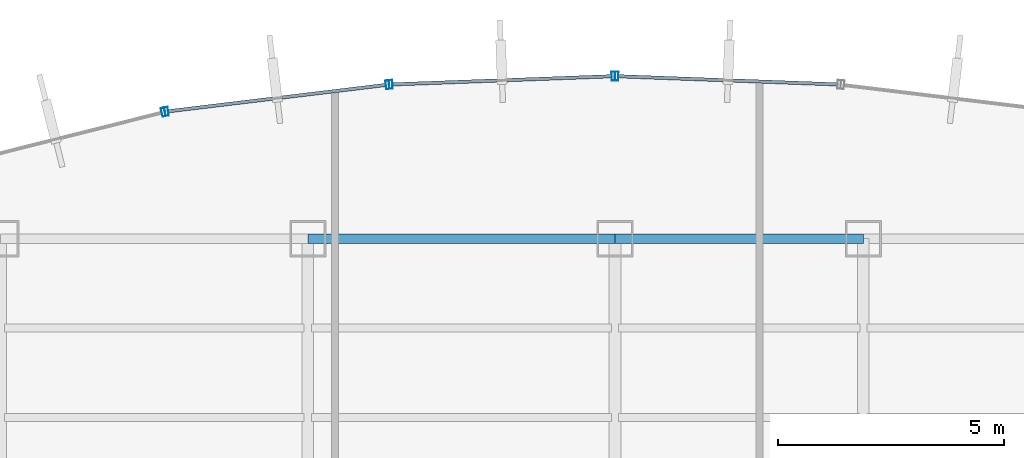
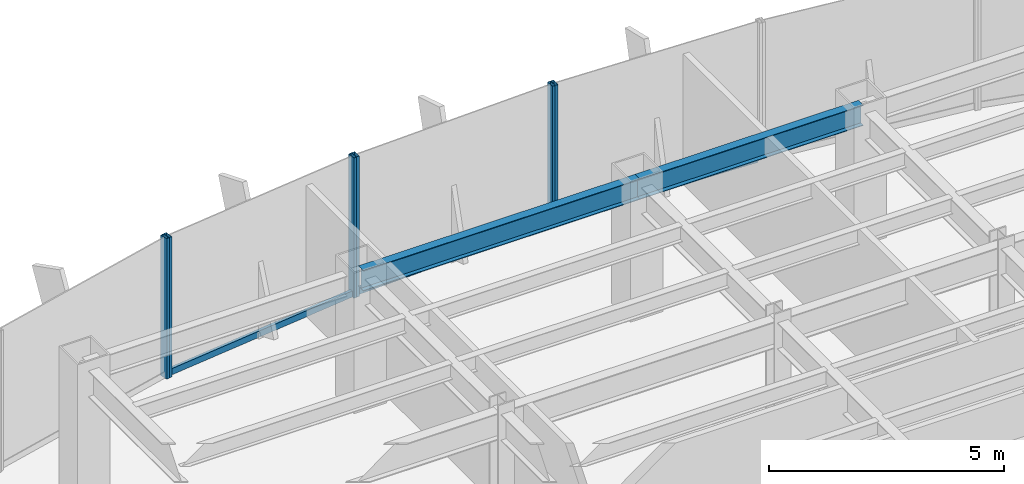
# One storey, part 16 of 26: 9 members, 2 beams, 4 elements without a shape of their own.
"""IFC4 building model written with IfcOpenShell, lengths in metres."""

import ifcopenshell
import ifcopenshell.guid

model = None  # the IFC model being written
_history = None  # IfcOwnerHistory: only IFC2X3 demands one
_inside = {}  # id of a spatial element -> (the spatial element, [elements in it])
_under = {}  # id of a project, library or spatial element -> (it, [spatial elements below it])
_declared = {}  # id of a project -> (the project, [libraries it declares])
_typed = {}  # id of a type object -> (the type object, [elements of that type])
_made_of = {}  # id of a material, layer set ... -> (it, [elements and type objects made of it])


def new_model(schema):
    """Start an empty IFC model of exactly this schema.

    Asked for "IFC4X3", IfcOpenShell would pick the latest addendum, in which some entities
    have other attributes; the version numbers below select the first issue.
    IFC2X3 requires an IfcOwnerHistory on every rooted entity: one is made here for all.
    """
    global model, _history
    if schema == "IFC4X3":
        model = ifcopenshell.file(schema_version=(4, 3, 0, 0))
    else:
        model = ifcopenshell.file(schema=schema)
    _inside.clear()
    _under.clear()
    _declared.clear()
    _typed.clear()
    _made_of.clear()
    _history = None
    if model.schema == "IFC2X3":
        org = make("IfcOrganization", Name="unknown")
        user = make(
            "IfcPersonAndOrganization",
            ThePerson=make("IfcPerson", FamilyName="unknown"),
            TheOrganization=org,
        )
        app = make(
            "IfcApplication",
            ApplicationDeveloper=org,
            Version="unknown",
            ApplicationFullName="unknown",
            ApplicationIdentifier="unknown",
        )
        _history = make(
            "IfcOwnerHistory",
            OwningUser=user,
            OwningApplication=app,
            ChangeAction="ADDED",
            CreationDate=0,
        )
    return model


def make(cls, **values):
    """One entity of the class cls with the attributes given. An attribute that is None is left unset."""
    return model.create_entity(
        cls, **{name: value for name, value in values.items() if value is not None}
    )


def rooted(cls, **values):
    """An entity with a GlobalId (a new one), such as an element, a storey or a relation."""
    return make(cls, GlobalId=ifcopenshell.guid.new(), OwnerHistory=_history, **values)


def si_unit(unit_type, name, prefix=None):
    """IfcSIUnit, for example si_unit("LENGTHUNIT", "METRE", prefix="MILLI")."""
    return make("IfcSIUnit", UnitType=unit_type, Prefix=prefix, Name=name)


def derived_unit(unit_type, elements):
    """IfcDerivedUnit: a product of units, each with its exponent."""
    return make(
        "IfcDerivedUnit",
        Elements=[
            make("IfcDerivedUnitElement", Unit=unit, Exponent=power)
            for unit, power in elements
        ],
        UnitType=unit_type,
    )


def assignment(units):
    """IfcUnitAssignment: the units of a project."""
    return None if units is None else make("IfcUnitAssignment", Units=units)


def point(xyz):
    """IfcCartesianPoint."""
    return None if xyz is None else make("IfcCartesianPoint", Coordinates=xyz)


def direction(xyz):
    """IfcDirection."""
    return None if xyz is None else make("IfcDirection", DirectionRatios=xyz)


def frame(location, z_axis=None, x_axis=None):
    """IfcAxis2Placement3D, a coordinate frame: its origin and axes. An axis left out is left unset."""
    return make(
        "IfcAxis2Placement3D",
        Location=point(location),
        Axis=direction(z_axis),
        RefDirection=direction(x_axis),
    )


def frame_2d(location, x_axis=None):
    """IfcAxis2Placement2D, a coordinate frame in the plane: its origin and x axis."""
    return make(
        "IfcAxis2Placement2D", Location=point(location), RefDirection=direction(x_axis)
    )


def origin():
    """The frame at (0, 0, 0) with its axes left unset."""
    return frame((0.0, 0.0, 0.0))


def origin_2d():
    """The frame at (0, 0) in the plane with its x axis left unset."""
    return frame_2d((0.0, 0.0))


def place(relative_to, where):
    """IfcLocalPlacement: puts the frame where relative to a parent placement (None: the world)."""
    return make(
        "IfcLocalPlacement", PlacementRelTo=relative_to, RelativePlacement=where
    )


def context(
    kind, dimensions, precision=None, world=None, true_north=None, identifier=None
):
    """IfcGeometricRepresentationContext, for example the 3D "Model" context."""
    return make(
        "IfcGeometricRepresentationContext",
        ContextIdentifier=identifier,
        ContextType=kind,
        CoordinateSpaceDimension=dimensions,
        Precision=precision,
        WorldCoordinateSystem=world,
        TrueNorth=true_north,
    )


def subcontext(parent, identifier, kind, view, scale=None):
    """IfcGeometricRepresentationSubContext, for example "Body" below "Model"."""
    return make(
        "IfcGeometricRepresentationSubContext",
        ContextIdentifier=identifier,
        ContextType=kind,
        ParentContext=parent,
        TargetScale=scale,
        TargetView=view,
    )


def project(units=None, contexts=None):
    """IfcProject with its units and contexts."""
    return rooted(
        "IfcProject",
        Name="project",
        RepresentationContexts=contexts,
        UnitsInContext=assignment(units),
    )


def spatial(cls, under=None, at=None, **own):
    """A site, building, storey or space (cls), placed at a placement, below another one or the project."""
    s = rooted(cls, ObjectPlacement=at, **own)
    if under is not None:
        _under.setdefault(under.id(), (under, []))[1].append(s)
    return s


def profile(cls, at=None, kind="AREA", **sizes):
    """A parametric profile (cls). Its sizes go by their IFC names, for example OverallWidth=200.0."""
    return make(cls, ProfileType=kind, Position=at, **sizes)


def hollow_rectangle(**sizes):
    """IfcRectangleHollowProfileDef."""
    return profile("IfcRectangleHollowProfileDef", **sizes)


def i_section(**sizes):
    """IfcIShapeProfileDef."""
    return profile("IfcIShapeProfileDef", **sizes)


def extrude(swept, where, along, depth):
    """IfcExtrudedAreaSolid: the profile swept, set in the frame where, extruded along a direction by depth."""
    return make(
        "IfcExtrudedAreaSolid",
        SweptArea=swept,
        Position=where,
        ExtrudedDirection=direction(along),
        Depth=depth,
    )


def shape(context_of_items, identifier, shape_type, items):
    """IfcShapeRepresentation: the items that make up one representation, for example the "Body"."""
    return make(
        "IfcShapeRepresentation",
        ContextOfItems=context_of_items,
        RepresentationIdentifier=identifier,
        RepresentationType=shape_type,
        Items=items,
    )


def source(mapping_origin, context_of_items, identifier, shape_type, items):
    """IfcRepresentationMap: a shape defined once, which mapped items show again and again."""
    return make(
        "IfcRepresentationMap",
        MappingOrigin=mapping_origin,
        MappedRepresentation=shape(context_of_items, identifier, shape_type, items),
    )


def transform(
    local_origin,
    x_axis=None,
    y_axis=None,
    z_axis=None,
    scale=None,
    scale2=None,
    scale3=None,
    uniform=True,
):
    """IfcCartesianTransformationOperator3D, or its non-uniform kind. x_axis, y_axis, z_axis: its Axis1, 2, 3."""
    if uniform:
        return make(
            "IfcCartesianTransformationOperator3D",
            Axis1=direction(x_axis),
            Axis2=direction(y_axis),
            LocalOrigin=point(local_origin),
            Scale=scale,
            Axis3=direction(z_axis),
        )
    return make(
        "IfcCartesianTransformationOperator3DnonUniform",
        Axis1=direction(x_axis),
        Axis2=direction(y_axis),
        LocalOrigin=point(local_origin),
        Scale=scale,
        Axis3=direction(z_axis),
        Scale2=scale2,
        Scale3=scale3,
    )


def mapped(mapping_source, mapping_target):
    """IfcMappedItem: shows the shape of a source again, moved by a transform."""
    return make(
        "IfcMappedItem", MappingSource=mapping_source, MappingTarget=mapping_target
    )


def material(Name=None, Category=None):
    """IfcMaterial."""
    return make("IfcMaterial", Name=Name, Category=Category)


def material_profile(
    of_material, cross_section, Name=None, Category=None, Priority=None
):
    """IfcMaterialProfile: a cross section and its material."""
    return make(
        "IfcMaterialProfile",
        Name=Name,
        Material=of_material,
        Profile=cross_section,
        Priority=Priority,
        Category=Category,
    )


def profile_set(profiles, Name=None, composite=None):
    """IfcMaterialProfileSet."""
    return make(
        "IfcMaterialProfileSet",
        Name=Name,
        MaterialProfiles=profiles,
        CompositeProfile=composite,
    )


def made_of(thing, what):
    """Note that an element or type object is made of a material, layer set ...; save() writes the relation."""
    if what is not None:
        _made_of.setdefault(what.id(), (what, []))[1].append(thing)
    return thing


def type_object(cls, material=None, **own):
    """A type object (cls), such as IfcWallType, which elements share."""
    return made_of(rooted(cls, **own), material)


def element(
    cls,
    number,
    at=None,
    inside=None,
    cuts=None,
    type_object=None,
    material=None,
    context=None,
    identifier="Body",
    shape_type=None,
    held_by="IfcProductDefinitionShape",
    body=None,
    shapes=None,
    **own,
):
    """One element of the class cls, such as IfcWall. Its Tag is "e" and its number.

    at: its placement. inside: the storey or other place that contains it. cuts: it is an
    opening in that element (IfcRelVoidsElement). A single representation is given by context,
    identifier, shape_type and body (its items); several are given by shapes. held_by: the class
    of the entity that holds the representations. save() writes the other relations.
    """
    e = rooted(cls, Tag="e%d" % number, ObjectPlacement=at, **own)
    if body is not None:
        shapes = [shape(context, identifier, shape_type, body)]
    if shapes is not None:
        e.Representation = make(held_by, Representations=shapes)
    if inside is not None:
        _inside.setdefault(inside.id(), (inside, []))[1].append(e)
    if cuts is not None:
        rooted(
            "IfcRelVoidsElement", RelatingBuildingElement=cuts, RelatedOpeningElement=e
        )
    if type_object is not None:
        _typed.setdefault(type_object.id(), (type_object, []))[1].append(e)
    return made_of(e, material)


def aggregate(whole, parts):
    """IfcRelAggregates: a whole, such as a stair, and the parts it consists of."""
    return rooted("IfcRelAggregates", RelatingObject=whole, RelatedObjects=parts)


def save(model, path):
    """Write the relations noted so far, then the file.

    IfcRelAggregates (storeys below a building ...), IfcRelContainedInSpatialStructure (elements
    in a storey), IfcRelDefinesByType, IfcRelAssociatesMaterial and IfcRelDeclares: one each for
    every whole, place, type object, material and project.
    """
    for whole, parts in _under.values():
        aggregate(whole, parts)
    for where, things in _inside.values():
        rooted(
            "IfcRelContainedInSpatialStructure",
            RelatedElements=things,
            RelatingStructure=where,
        )
    for kind, things in _typed.values():
        rooted("IfcRelDefinesByType", RelatedObjects=things, RelatingType=kind)
    for what, things in _made_of.values():
        rooted("IfcRelAssociatesMaterial", RelatedObjects=things, RelatingMaterial=what)
    for by, libraries in _declared.values():
        rooted("IfcRelDeclares", RelatingContext=by, RelatedDefinitions=libraries)
    model.write(path)


model = new_model("IFC4")

# Units and contexts
model_context = context("Model", 3, precision=1e-05, world=origin(), true_north=direction((0.0, 1.0)))
body_context = subcontext(model_context, "Body", "Model", "MODEL_VIEW")
ifc_project = project(units=[si_unit("LENGTHUNIT", "METRE"), si_unit("AREAUNIT", "SQUARE_METRE"), si_unit("VOLUMEUNIT", "CUBIC_METRE"), si_unit("PLANEANGLEUNIT", "RADIAN"), si_unit("MASSUNIT", "GRAM", prefix="KILO"), derived_unit("THERMALTRANSMITTANCEUNIT", [(si_unit("POWERUNIT", "WATT"), 1), (si_unit("LENGTHUNIT", "METRE"), -2), (si_unit("THERMODYNAMICTEMPERATUREUNIT", "KELVIN"), -1)])], contexts=[model_context])

# Site, building, storey
site_placement = place(None, origin())
site = spatial("IfcSite", under=ifc_project, at=site_placement, CompositionType="ELEMENT")
building_placement = place(site_placement, origin())
building = spatial("IfcBuilding", under=site, at=building_placement, Name="Skarnbrae Concourse Arena and Tower", CompositionType="ELEMENT")
storey_placement = place(building_placement, frame((0.0, 0.0, 128.800048828125)))
storey = spatial("IfcBuildingStorey", under=building, at=storey_placement, Name="L32", CompositionType="ELEMENT", Elevation=128.800048828125)

# Beams
ifc_material_1 = material(Name="Steel CSA G40.21 350W", Category="steel")
ifc_material_profile_1 = material_profile(ifc_material_1, i_section(OverallWidth=0.208984375, OverallDepth=0.532958984375, WebThickness=0.01025390625, FlangeThickness=0.015625, at=origin_2d()), Name="W530X92")
ifc_profile_set_1 = profile_set([ifc_material_profile_1], Name="Steel CSA G40.21 350W")
beam_type = type_object("IfcBeamType", Name="BM-SPAN-W530X92", PredefinedType="SPANDREL", material=ifc_profile_set_1)
shared_shape_1 = source(origin(), body_context, "Body", "SweptSolid", [
    extrude(i_section(OverallWidth=0.208984375, OverallDepth=0.532958984375, WebThickness=0.01025390625, FlangeThickness=0.015625, at=origin_2d()), origin(), (0.0, 0.0, 1.0), 6.800048828125),
])
beam_1_placement = place(storey_placement, frame((21.199951171875, 40.39990234375, 3.133544921875), z_axis=(1.0, 0.0, 0.0), x_axis=(0.0, 1.0, 0.0)))
element("IfcBeam", 1, at=beam_1_placement, inside=storey, type_object=beam_type, Name="L32 Perimeter spandrel Y40.4-2", PredefinedType="SPANDREL", context=body_context, shape_type="MappedRepresentation", body=[
    mapped(shared_shape_1, transform((0.0, 0.0, 0.0))),
])
shared_shape_2 = source(origin(), body_context, "Body", "SweptSolid", [
    extrude(i_section(OverallWidth=0.208984375, OverallDepth=0.532958984375, WebThickness=0.01025390625, FlangeThickness=0.015625, at=origin_2d()), origin(), (0.0, 0.0, 1.0), 5.5),
])
beam_2_placement = place(storey_placement, frame((28.0, 40.39990234375, 3.133544921875), z_axis=(1.0, 0.0, 0.0), x_axis=(0.0, 1.0, 0.0)))
element("IfcBeam", 2, at=beam_2_placement, inside=storey, type_object=beam_type, Name="L32 Perimeter spandrel Y40.4-3", PredefinedType="SPANDREL", context=body_context, shape_type="MappedRepresentation", body=[
    mapped(shared_shape_2, transform((0.0, 0.0, 0.0))),
])

# Curtain wall, member
ifc_material_2 = material(Name="Bronze anodised aluminium 6063-T6", Category="aluminium")
curtain_wall_type = type_object("IfcCurtainWallType", Name="CW-SYS-04-MIDZONE", PredefinedType="USERDEFINED", material=ifc_material_2)
curtain_wall_1_placement = place(storey_placement, origin())
curtain_wall_1 = element("IfcCurtainWall", 3, at=curtain_wall_1_placement, inside=storey, type_object=curtain_wall_type, Name="L32 Unitised curtain wall CW-L32-E13", ObjectType="UNITISED CURTAIN WALL", PredefinedType="USERDEFINED")
ifc_material_profile_2 = material_profile(ifc_material_2, hollow_rectangle(XDim=0.074951171875, YDim=0.159912109375, WallThickness=0.00439453125, at=origin_2d()), Name="ALU-TRAN-75X160")
ifc_profile_set_2 = profile_set([ifc_material_profile_2], Name="Bronze anodised aluminium 6063-T6")
member_type_1 = type_object("IfcMemberType", Name="CWT-CW-04", PredefinedType="USERDEFINED", material=ifc_profile_set_2)
shared_shape_3 = source(origin(), body_context, "Body", "SweptSolid", [
    extrude(hollow_rectangle(XDim=0.074951171875, YDim=0.159912109375, WallThickness=0.00439453125, at=origin_2d()), origin(), (0.0, 0.0, 1.0), 4.851318359375),
])
member_1_placement = place(storey_placement, frame((22.926513671875, 43.804931640625, 0.079833984375), z_axis=(-0.992746710317, -0.120224661172, 0.0), x_axis=(0.120224661172, -0.992746710317, 0.0)))
member_1 = element("IfcMember", 4, at=member_1_placement, type_object=member_type_1, Name="CW-L32-E13 Transom 1", ObjectType="TRANSOM", PredefinedType="USERDEFINED", context=body_context, shape_type="MappedRepresentation", body=[
    mapped(shared_shape_3, transform((0.0, 0.0, 0.0))),
])

curtain_wall_2_placement = place(storey_placement, origin())
curtain_wall_2 = element("IfcCurtainWall", 5, at=curtain_wall_2_placement, inside=storey, type_object=curtain_wall_type, Name="L32 Unitised curtain wall CW-L32-E11", ObjectType="UNITISED CURTAIN WALL", PredefinedType="USERDEFINED")
shared_shape_4 = source(origin(), body_context, "Body", "SweptSolid", [
    extrude(hollow_rectangle(XDim=0.074951171875, YDim=0.159912109375, WallThickness=0.00439453125, at=origin_2d()), origin(), (0.0, 0.0, 1.0), 4.8525390625),
])
member_2_placement = place(storey_placement, frame((32.924072265625, 43.81689453125, 0.079833984375), z_axis=(-0.999308547576, 0.037180999731, 0.0), x_axis=(-0.037180999731, -0.999308547576, 0.0)))
member_2 = element("IfcMember", 6, at=member_2_placement, type_object=member_type_1, Name="CW-L32-E11 Transom 1", ObjectType="TRANSOM", PredefinedType="USERDEFINED", context=body_context, shape_type="MappedRepresentation", body=[
    mapped(shared_shape_4, transform((0.0, 0.0, 0.0))),
])

curtain_wall_3_placement = place(storey_placement, origin())
curtain_wall_3 = element("IfcCurtainWall", 7, at=curtain_wall_3_placement, inside=storey, type_object=curtain_wall_type, Name="L32 Unitised curtain wall CW-L32-E12", ObjectType="UNITISED CURTAIN WALL", PredefinedType="USERDEFINED")
member_3_placement = place(storey_placement, frame((27.925048828125, 43.997314453125, 0.079833984375), z_axis=(-0.999308547576, -0.037180999731, 0.0), x_axis=(0.037180999731, -0.999308547576, 0.0)))
member_3 = element("IfcMember", 8, at=member_3_placement, type_object=member_type_1, Name="CW-L32-E12 Transom 1", ObjectType="TRANSOM", PredefinedType="USERDEFINED", context=body_context, shape_type="MappedRepresentation", body=[
    mapped(shared_shape_4, transform((0.0, 0.0, 0.0))),
])

# Member
ifc_material_profile_3 = material_profile(ifc_material_2, hollow_rectangle(XDim=0.074951171875, YDim=0.195068359375, WallThickness=0.00439453125, at=origin_2d()), Name="ALU-MULL-75X195")
ifc_profile_set_3 = profile_set([ifc_material_profile_3], Name="Bronze anodised aluminium 6063-T6")
member_type_2 = type_object("IfcMemberType", Name="CWM-CW-04", PredefinedType="MULLION", material=ifc_profile_set_3)
shared_shape_5 = source(origin(), body_context, "Body", "SweptSolid", [
    extrude(hollow_rectangle(XDim=0.074951171875, YDim=0.195068359375, WallThickness=0.00439453125, at=origin_2d()), origin(), (0.0, 0.0, 1.0), 3.64990234375),
])
member_4_placement = place(storey_placement, frame((28.03759765625, 43.99853515625, 0.0), z_axis=(0.0, 0.0, 1.0), x_axis=(-0.999308486252, 0.037182647889, 0.0)))
member_4 = element("IfcMember", 9, at=member_4_placement, type_object=member_type_2, Name="CW-L32-E11 Mullion 2", PredefinedType="MULLION", context=body_context, shape_type="MappedRepresentation", body=[
    mapped(shared_shape_5, transform((0.0, 0.0, 0.0))),
])

aggregate(curtain_wall_2, [member_4, member_2])

member_5_placement = place(storey_placement, frame((27.96240234375, 43.99853515625, 0.0), z_axis=(0.0, 0.0, 1.0), x_axis=(-0.999308486252, -0.037182647889, 0.0)))
member_5 = element("IfcMember", 10, at=member_5_placement, type_object=member_type_2, Name="CW-L32-E12 Mullion 1", PredefinedType="MULLION", context=body_context, shape_type="MappedRepresentation", body=[
    mapped(shared_shape_5, transform((0.0, 0.0, 0.0))),
])

member_6_placement = place(storey_placement, frame((23.03857421875, 43.8154296875, 0.0), z_axis=(0.0, 0.0, 1.0), x_axis=(-0.999308486252, -0.037182647889, 0.0)))
member_6 = element("IfcMember", 11, at=member_6_placement, type_object=member_type_2, Name="CW-L32-E12 Mullion 2", PredefinedType="MULLION", context=body_context, shape_type="MappedRepresentation", body=[
    mapped(shared_shape_5, transform((0.0, 0.0, 0.0))),
])

aggregate(curtain_wall_3, [member_5, member_6, member_3])

member_7_placement = place(storey_placement, frame((22.9638671875, 43.8095703125, 0.0), z_axis=(0.0, 0.0, 1.0), x_axis=(-0.992749371969, -0.120202680731, 0.0)))
member_7 = element("IfcMember", 12, at=member_7_placement, type_object=member_type_2, Name="CW-L32-E13 Mullion 1", PredefinedType="MULLION", context=body_context, shape_type="MappedRepresentation", body=[
    mapped(shared_shape_5, transform((0.0, 0.0, 0.0))),
])

member_8_placement = place(storey_placement, frame((18.072998046875, 43.21728515625, 0.0), z_axis=(0.0, 0.0, 1.0), x_axis=(-0.992749371969, -0.120202680731, 0.0)))
member_8 = element("IfcMember", 13, at=member_8_placement, type_object=member_type_2, Name="CW-L32-E13 Mullion 2", PredefinedType="MULLION", context=body_context, shape_type="MappedRepresentation", body=[
    mapped(shared_shape_5, transform((0.0, 0.0, 0.0))),
])

aggregate(curtain_wall_1, [member_7, member_8, member_1])

# Curtain wall, member
curtain_wall_4_placement = place(storey_placement, origin())
curtain_wall_4 = element("IfcCurtainWall", 14, at=curtain_wall_4_placement, inside=storey, type_object=curtain_wall_type, Name="L32 Unitised curtain wall CW-L32-E14", ObjectType="UNITISED CURTAIN WALL", PredefinedType="USERDEFINED")
member_9_placement = place(storey_placement, frame((17.99951171875, 43.20361328125, 0.0), z_axis=(0.0, 0.0, 1.0), x_axis=(-0.969903046166, -0.243491439351, 0.0)))
member_9 = element("IfcMember", 15, at=member_9_placement, type_object=member_type_2, Name="CW-L32-E14 Mullion 1", PredefinedType="MULLION", context=body_context, shape_type="MappedRepresentation", body=[
    mapped(shared_shape_5, transform((0.0, 0.0, 0.0))),
])
aggregate(curtain_wall_4, [member_9])

save(model, "model.ifc")
